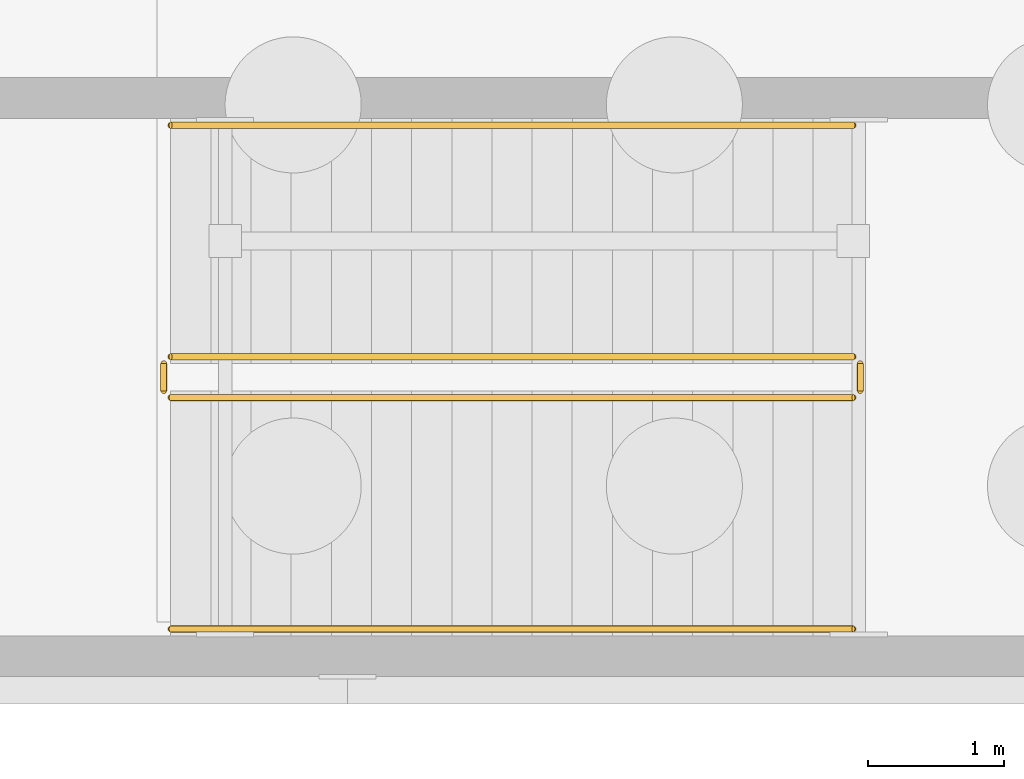
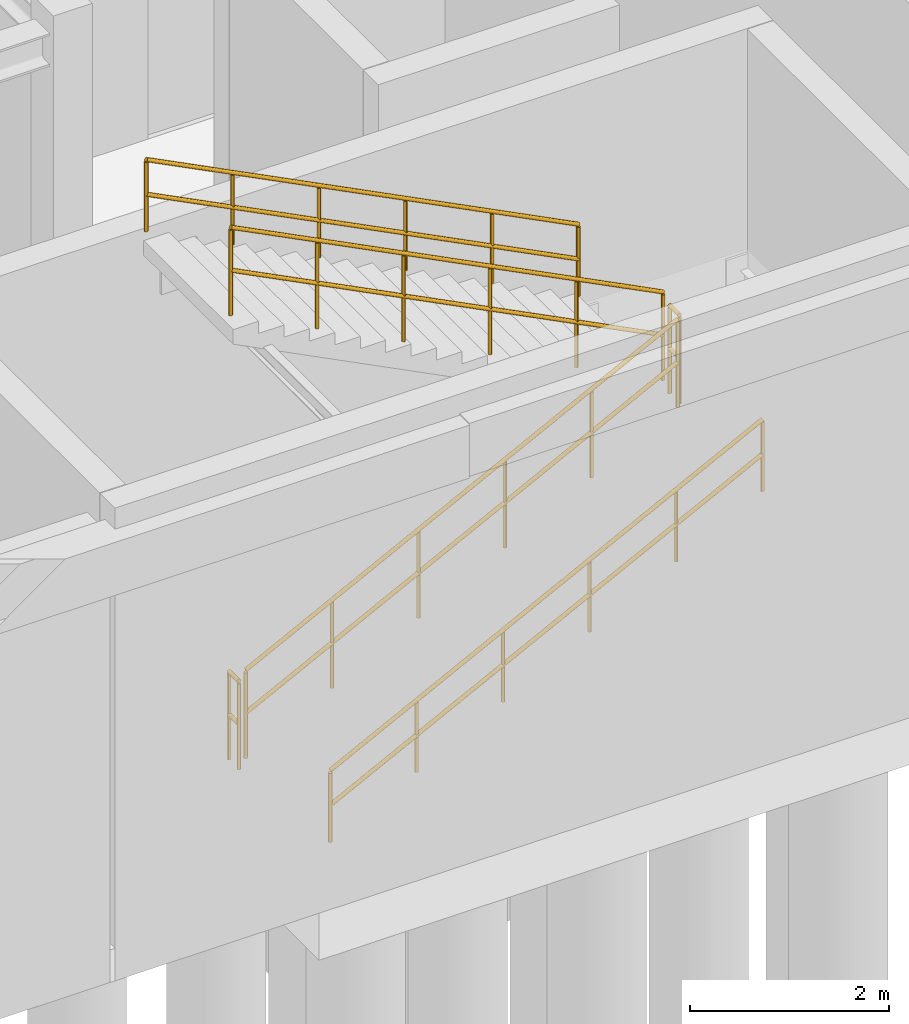
# One storey, part 66 of 71: 6 railings.
"""IFC4 building model written with IfcOpenShell, lengths in metres."""

from ifc_helpers import new_model, si_unit, direction, frame, origin, origin_2d, place, context, subcontext, project, spatial, circle, extrude, material, type_object, element, save


model = new_model("IFC4")

# Units and contexts
model_context = context("Model", 3, precision=1e-05, world=origin(), true_north=direction((0.0, 1.0)))
body_context = subcontext(model_context, "Body", "Model", "MODEL_VIEW")
ifc_project = project(units=[si_unit("LENGTHUNIT", "METRE"), si_unit("AREAUNIT", "SQUARE_METRE"), si_unit("VOLUMEUNIT", "CUBIC_METRE"), si_unit("PLANEANGLEUNIT", "RADIAN"), si_unit("MASSUNIT", "GRAM", prefix="KILO")], contexts=[model_context])

# Site, building, storey
site_placement = place(None, origin())
site = spatial("IfcSite", under=ifc_project, at=site_placement, CompositionType="ELEMENT")
building_placement = place(site_placement, origin())
building = spatial("IfcBuilding", under=site, at=building_placement, Name="Sundkrona Museum", CompositionType="ELEMENT")
storey_placement = place(building_placement, frame((0.0, 0.0, -5.39990234375)))
storey = spatial("IfcBuildingStorey", under=building, at=storey_placement, Name="B1", CompositionType="ELEMENT", Elevation=-5.39990234375)

# Railings
ifc_material_1 = material(Name="Painted Steel S355J2 and Laminated Glass Balustrade", Category="steel")
railing_type_1 = type_object("IfcRailingType", Name="RL-GUARD-1100", PredefinedType="BALUSTRADE", material=ifc_material_1)
railing_1_placement = place(storey_placement, frame((30.699951171875, 34.050048828125, 0.14990234375)))
element("IfcRailing", 1, at=railing_1_placement, inside=storey, type_object=railing_type_1, Name="B1 ST-4 stair guard 1", PredefinedType="BALUSTRADE", context=body_context, shape_type="SweptSolid", body=[
    extrude(circle(Radius=0.02392578125, at=origin_2d()), frame((0.0, 0.0, 1.076171875), z_axis=(0.891386615937, 0.0, 0.453243754428), x_axis=(0.0, 1.0, 0.0)), (0.0, 0.0, 1.0), 5.626220703125),
    extrude(circle(Radius=0.02392578125, at=origin_2d()), frame((0.0, 0.0, 0.550048828125), z_axis=(0.891386615937, 0.0, 0.453243754428), x_axis=(0.0, 1.0, 0.0)), (0.0, 0.0, 1.0), 5.626220703125),
    extrude(circle(Radius=0.02099609375, at=origin_2d()), origin(), (0.0, 0.0, 1.0), 1.052001953125),
    extrude(circle(Radius=0.02099609375, at=origin_2d()), frame((1.0029296875, 0.0, 0.510009765625)), (0.0, 0.0, 1.0), 1.052001953125),
    extrude(circle(Radius=0.02099609375, at=origin_2d()), frame((2.006103515625, 0.0, 1.02001953125)), (0.0, 0.0, 1.0), 1.052001953125),
    extrude(circle(Radius=0.02099609375, at=origin_2d()), frame((3.009033203125, 0.0, 1.530029296875)), (0.0, 0.0, 1.0), 1.052001953125),
    extrude(circle(Radius=0.02099609375, at=origin_2d()), frame((4.01220703125, 0.0, 2.0400390625)), (0.0, 0.0, 1.0), 1.052001953125),
    extrude(circle(Radius=0.02099609375, at=origin_2d()), frame((5.01513671875, 0.0, 2.550048828125)), (0.0, 0.0, 1.0), 1.052001953125),
])
railing_2_placement = place(storey_placement, frame((35.764892578125, 34.10009765625, 2.699951171875)))
element("IfcRailing", 2, at=railing_2_placement, inside=storey, type_object=railing_type_1, Name="B1 ST-4 stair guard 2", PredefinedType="BALUSTRADE", context=body_context, shape_type="SweptSolid", body=[
    extrude(circle(Radius=0.02392578125, at=origin_2d()), frame((0.0, 0.0, 1.076171875), z_axis=(0.0, 1.0, 0.0), x_axis=(-1.0, 0.0, 0.0)), (0.0, 0.0, 1.0), 0.199951171875),
    extrude(circle(Radius=0.02392578125, at=origin_2d()), frame((0.0, 0.0, 0.550048828125), z_axis=(0.0, 1.0, 0.0), x_axis=(-1.0, 0.0, 0.0)), (0.0, 0.0, 1.0), 0.199951171875),
    extrude(circle(Radius=0.02099609375, at=origin_2d()), origin(), (0.0, 0.0, 1.0), 1.052001953125),
    extrude(circle(Radius=0.02099609375, at=origin_2d()), frame((0.0, 0.199951171875, 0.0)), (0.0, 0.0, 1.0), 1.052001953125),
])
railing_3_placement = place(storey_placement, frame((35.715087890625, 34.35009765625, 2.849853515625)))
element("IfcRailing", 3, at=railing_3_placement, inside=storey, type_object=railing_type_1, Name="B1 ST-4 stair guard 3", PredefinedType="BALUSTRADE", context=body_context, shape_type="SweptSolid", body=[
    extrude(circle(Radius=0.02392578125, at=origin_2d()), frame((0.0, 0.0, 1.076171875), z_axis=(-0.891386615937, 0.0, 0.453243754428), x_axis=(0.0, -1.0, 0.0)), (0.0, 0.0, 1.0), 5.626220703125),
    extrude(circle(Radius=0.02392578125, at=origin_2d()), frame((0.0, 0.0, 0.550048828125), z_axis=(-0.891386615937, 0.0, 0.453243754428), x_axis=(0.0, -1.0, 0.0)), (0.0, 0.0, 1.0), 5.626220703125),
    extrude(circle(Radius=0.02099609375, at=origin_2d()), origin(), (0.0, 0.0, 1.0), 1.052001953125),
    extrude(circle(Radius=0.02099609375, at=origin_2d()), frame((-1.0029296875, 0.0, 0.510009765625)), (0.0, 0.0, 1.0), 1.052001953125),
    extrude(circle(Radius=0.02099609375, at=origin_2d()), frame((-2.006103515625, 0.0, 1.02001953125)), (0.0, 0.0, 1.0), 1.052001953125),
    extrude(circle(Radius=0.02099609375, at=origin_2d()), frame((-3.009033203125, 0.0, 1.530029296875)), (0.0, 0.0, 1.0), 1.052001953125),
    extrude(circle(Radius=0.02099609375, at=origin_2d()), frame((-4.01220703125, 0.0, 2.0400390625)), (0.0, 0.0, 1.0), 1.052001953125),
    extrude(circle(Radius=0.02099609375, at=origin_2d()), frame((-5.01513671875, 0.0, 2.550048828125)), (0.0, 0.0, 1.0), 1.052001953125),
])
railing_4_placement = place(storey_placement, frame((30.64990234375, 34.10009765625, 0.0)))
element("IfcRailing", 4, at=railing_4_placement, inside=storey, type_object=railing_type_1, Name="B1 ST-4 stair guard 4", PredefinedType="BALUSTRADE", context=body_context, shape_type="SweptSolid", body=[
    extrude(circle(Radius=0.02392578125, at=origin_2d()), frame((0.0, 0.0, 1.076171875), z_axis=(0.0, 1.0, 0.0), x_axis=(-1.0, 0.0, 0.0)), (0.0, 0.0, 1.0), 0.199951171875),
    extrude(circle(Radius=0.02392578125, at=origin_2d()), frame((0.0, 0.0, 0.550048828125), z_axis=(0.0, 1.0, 0.0), x_axis=(-1.0, 0.0, 0.0)), (0.0, 0.0, 1.0), 0.199951171875),
    extrude(circle(Radius=0.02099609375, at=origin_2d()), origin(), (0.0, 0.0, 1.0), 1.052001953125),
    extrude(circle(Radius=0.02099609375, at=origin_2d()), frame((0.0, 0.199951171875, 0.0)), (0.0, 0.0, 1.0), 1.052001953125),
])
ifc_material_2 = material(Name="Brushed Bronze-Clad Steel Handrail", Category="steel")
railing_type_2 = type_object("IfcRailingType", Name="RL-HAND-900", PredefinedType="HANDRAIL", material=ifc_material_2)
railing_5_placement = place(storey_placement, frame((30.699951171875, 32.35009765625, 0.14990234375)))
element("IfcRailing", 5, at=railing_5_placement, inside=storey, type_object=railing_type_2, Name="B1 ST-4 stair handrail 1", PredefinedType="HANDRAIL", context=body_context, shape_type="SweptSolid", body=[
    extrude(circle(Radius=0.02392578125, at=origin_2d()), frame((0.0, 0.0, 0.8759765625), z_axis=(0.891386615937, 0.0, 0.453243754428), x_axis=(0.0, 1.0, 0.0)), (0.0, 0.0, 1.0), 5.626220703125),
    extrude(circle(Radius=0.02392578125, at=origin_2d()), frame((0.0, 0.0, 0.449951171875), z_axis=(0.891386615937, 0.0, 0.453243754428), x_axis=(0.0, 1.0, 0.0)), (0.0, 0.0, 1.0), 5.626220703125),
    extrude(circle(Radius=0.02099609375, at=origin_2d()), origin(), (0.0, 0.0, 1.0), 0.851806640625),
    extrude(circle(Radius=0.02099609375, at=origin_2d()), frame((1.0029296875, 0.0, 0.510009765625)), (0.0, 0.0, 1.0), 0.851806640625),
    extrude(circle(Radius=0.02099609375, at=origin_2d()), frame((2.006103515625, 0.0, 1.02001953125)), (0.0, 0.0, 1.0), 0.851806640625),
    extrude(circle(Radius=0.02099609375, at=origin_2d()), frame((3.009033203125, 0.0, 1.530029296875)), (0.0, 0.0, 1.0), 0.851806640625),
    extrude(circle(Radius=0.02099609375, at=origin_2d()), frame((4.01220703125, 0.0, 2.0400390625)), (0.0, 0.0, 1.0), 0.851806640625),
    extrude(circle(Radius=0.02099609375, at=origin_2d()), frame((5.01513671875, 0.0, 2.550048828125)), (0.0, 0.0, 1.0), 0.851806640625),
])
railing_6_placement = place(storey_placement, frame((35.715087890625, 36.050048828125, 2.849853515625)))
element("IfcRailing", 6, at=railing_6_placement, inside=storey, type_object=railing_type_2, Name="B1 ST-4 stair handrail 2", PredefinedType="HANDRAIL", context=body_context, shape_type="SweptSolid", body=[
    extrude(circle(Radius=0.02392578125, at=origin_2d()), frame((0.0, 0.0, 0.8759765625), z_axis=(-0.891386615937, 0.0, 0.453243754428), x_axis=(0.0, -1.0, 0.0)), (0.0, 0.0, 1.0), 5.626220703125),
    extrude(circle(Radius=0.02392578125, at=origin_2d()), frame((0.0, 0.0, 0.449951171875), z_axis=(-0.891386615937, 0.0, 0.453243754428), x_axis=(0.0, -1.0, 0.0)), (0.0, 0.0, 1.0), 5.626220703125),
    extrude(circle(Radius=0.02099609375, at=origin_2d()), origin(), (0.0, 0.0, 1.0), 0.851806640625),
    extrude(circle(Radius=0.02099609375, at=origin_2d()), frame((-1.0029296875, 0.0, 0.510009765625)), (0.0, 0.0, 1.0), 0.851806640625),
    extrude(circle(Radius=0.02099609375, at=origin_2d()), frame((-2.006103515625, 0.0, 1.02001953125)), (0.0, 0.0, 1.0), 0.851806640625),
    extrude(circle(Radius=0.02099609375, at=origin_2d()), frame((-3.009033203125, 0.0, 1.530029296875)), (0.0, 0.0, 1.0), 0.851806640625),
    extrude(circle(Radius=0.02099609375, at=origin_2d()), frame((-4.01220703125, 0.0, 2.0400390625)), (0.0, 0.0, 1.0), 0.851806640625),
    extrude(circle(Radius=0.02099609375, at=origin_2d()), frame((-5.01513671875, 0.0, 2.550048828125)), (0.0, 0.0, 1.0), 0.851806640625),
])

save(model, "model.ifc")
